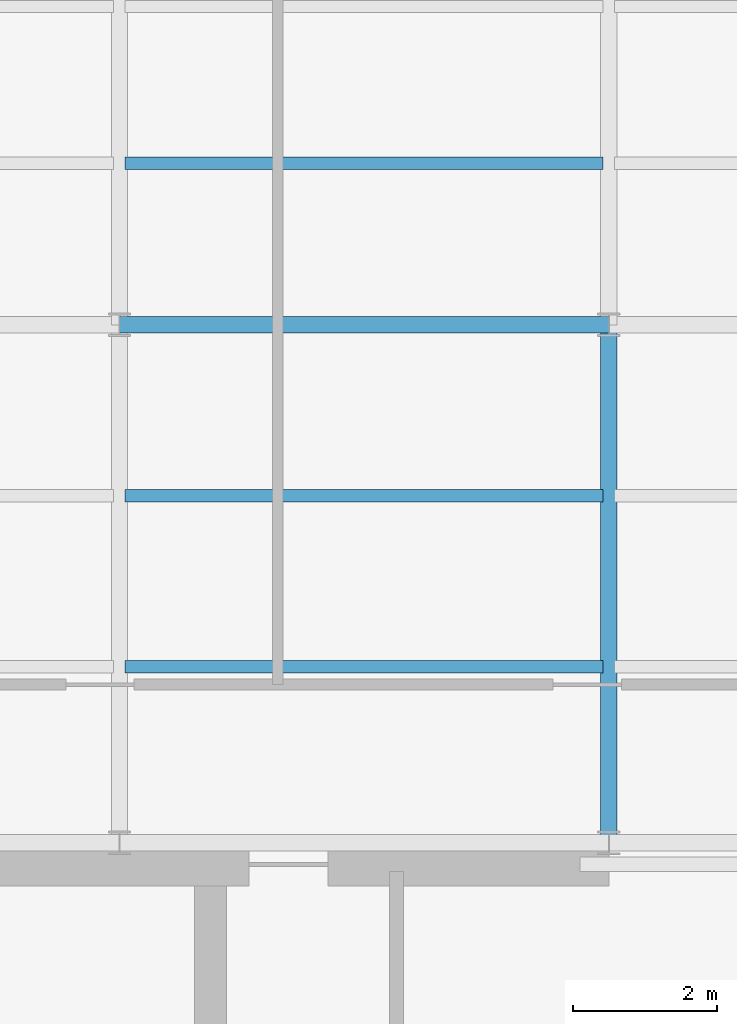
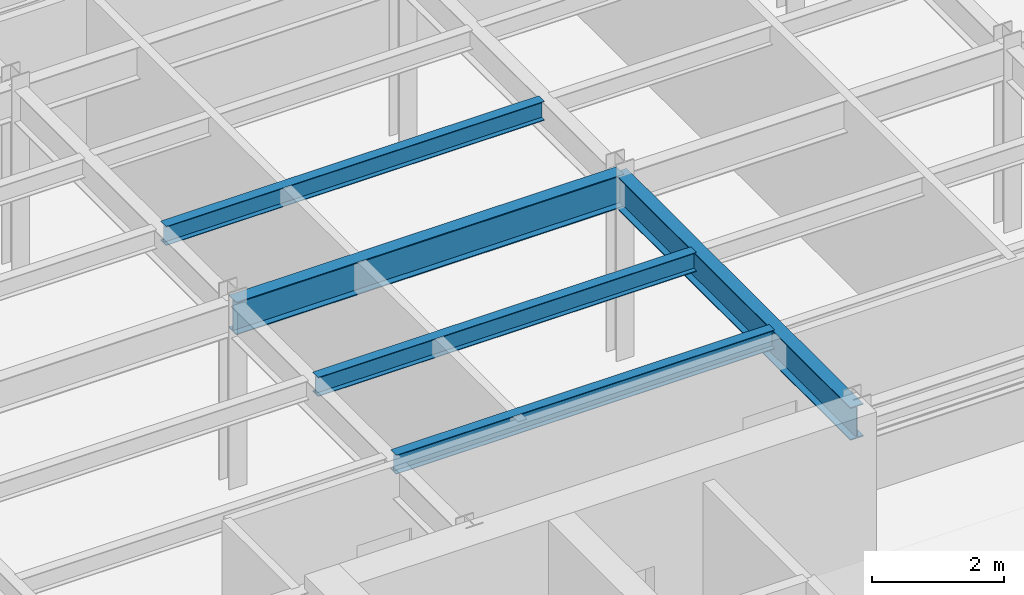
# One storey, part 6 of 22: 5 beams.
"""IFC4 building model written with IfcOpenShell, lengths in metres."""

from ifc_helpers import new_model, si_unit, derived_unit, direction, frame, origin, origin_2d, place, context, subcontext, project, spatial, i_section, extrude, source, transform, mapped, material, material_profile, profile_set, type_object, element, save


model = new_model("IFC4")

# Units and contexts
model_context = context("Model", 3, precision=1e-05, world=origin(), true_north=direction((0.0, 1.0)))
body_context = subcontext(model_context, "Body", "Model", "MODEL_VIEW")
ifc_project = project(units=[si_unit("LENGTHUNIT", "METRE"), si_unit("AREAUNIT", "SQUARE_METRE"), si_unit("VOLUMEUNIT", "CUBIC_METRE"), si_unit("PLANEANGLEUNIT", "RADIAN"), si_unit("MASSUNIT", "GRAM", prefix="KILO"), derived_unit("THERMALTRANSMITTANCEUNIT", [(si_unit("POWERUNIT", "WATT"), 1), (si_unit("LENGTHUNIT", "METRE"), -2), (si_unit("THERMODYNAMICTEMPERATUREUNIT", "KELVIN"), -1)])], contexts=[model_context])

# Site, building, storey
site_placement = place(None, origin())
site = spatial("IfcSite", under=ifc_project, at=site_placement, CompositionType="ELEMENT")
building_placement = place(site_placement, origin())
building = spatial("IfcBuilding", under=site, at=building_placement, Name="Skarnbrae Concourse Arena and Tower", CompositionType="ELEMENT")
storey_placement = place(building_placement, frame((0.0, 0.0, 203.199951171875)))
storey = spatial("IfcBuildingStorey", under=building, at=storey_placement, Name="L52", CompositionType="ELEMENT", Elevation=203.199951171875)

# Beams
ifc_material = material(Name="Steel CSA G40.21 350W", Category="steel")
ifc_material_profile_1 = material_profile(ifc_material, i_section(OverallWidth=0.22802734375, OverallDepth=0.60791015625, WebThickness=0.01123046875, FlangeThickness=0.017333984375, at=origin_2d()), Name="W610X113")
ifc_profile_set_1 = profile_set([ifc_material_profile_1], Name="Steel CSA G40.21 350W")
beam_type_1 = type_object("IfcBeamType", Name="BM-GIRD-W610X113", PredefinedType="BEAM", material=ifc_profile_set_1)
shared_shape_1 = source(origin(), body_context, "Body", "SweptSolid", [
    extrude(i_section(OverallWidth=0.22802734375, OverallDepth=0.60791015625, WebThickness=0.01123046875, FlangeThickness=0.017333984375, at=origin_2d()), origin(), (0.0, 0.0, 1.0), 6.7998046875),
])
beam_1_placement = place(storey_placement, frame((7.60009765625, 21.199951171875, 3.095947265625), z_axis=(1.0, 0.0, 0.0), x_axis=(0.0, 1.0, 0.0)))
element("IfcBeam", 1, at=beam_1_placement, inside=storey, type_object=beam_type_1, Name="L52 Primary E-W girder Y21.2-2", PredefinedType="BEAM", context=body_context, shape_type="MappedRepresentation", body=[
    mapped(shared_shape_1, transform((0.0, 0.0, 0.0))),
])
shared_shape_2 = source(origin(), body_context, "Body", "SweptSolid", [
    extrude(i_section(OverallWidth=0.22802734375, OverallDepth=0.60791015625, WebThickness=0.01123046875, FlangeThickness=0.017333984375, at=origin_2d()), origin(), (0.0, 0.0, 1.0), 7.199951171875),
])
beam_2_placement = place(storey_placement, frame((14.39990234375, 14.0, 3.095947265625), z_axis=(0.0, 1.0, 0.0), x_axis=(-1.0, 0.0, 0.0)))
element("IfcBeam", 2, at=beam_2_placement, inside=storey, type_object=beam_type_1, Name="L52 Primary N-S girder X14.4-1", PredefinedType="BEAM", context=body_context, shape_type="MappedRepresentation", body=[
    mapped(shared_shape_2, transform((0.0, 0.0, 0.0))),
])
ifc_material_profile_2 = material_profile(ifc_material, i_section(OverallWidth=0.1708984375, OverallDepth=0.35498046875, WebThickness=0.007080078125, FlangeThickness=0.01171875, at=origin_2d()), Name="W360X51")
ifc_profile_set_2 = profile_set([ifc_material_profile_2], Name="Steel CSA G40.21 350W")
beam_type_2 = type_object("IfcBeamType", Name="BM-JOIST-W360X51", PredefinedType="JOIST", material=ifc_profile_set_2)
shared_shape_3 = source(origin(), body_context, "Body", "SweptSolid", [
    extrude(i_section(OverallWidth=0.1708984375, OverallDepth=0.35498046875, WebThickness=0.007080078125, FlangeThickness=0.01171875, at=origin_2d()), origin(), (0.0, 0.0, 1.0), 6.64013671875),
])
for number, where, z_axis, x_axis, name in (
    (3, (7.679931640625, 16.447998046875, 3.22265625), (1.0, 0.0, 0.0), (0.0, 1.0, 0.0), "L52 Secondary floor joist 1.1.2"),
    (4, (7.679931640625, 18.823974609375, 3.22265625), (1.0, 0.0, 0.0), (0.0, 1.0, 0.0), "L52 Secondary floor joist 1.2.2"),
    (5, (7.679931640625, 23.444091796875, 3.22265625), (1.0, 0.0, 0.0), (0.0, 1.0, 0.0), "L52 Secondary floor joist 2.1.2"),
):
    element("IfcBeam", number, at=place(storey_placement, frame(where, z_axis=z_axis, x_axis=x_axis)), inside=storey, type_object=beam_type_2, Name=name, PredefinedType="JOIST", context=body_context, shape_type="MappedRepresentation", body=[
        mapped(shared_shape_3, transform((0.0, 0.0, 0.0))),
    ])

save(model, "model.ifc")
